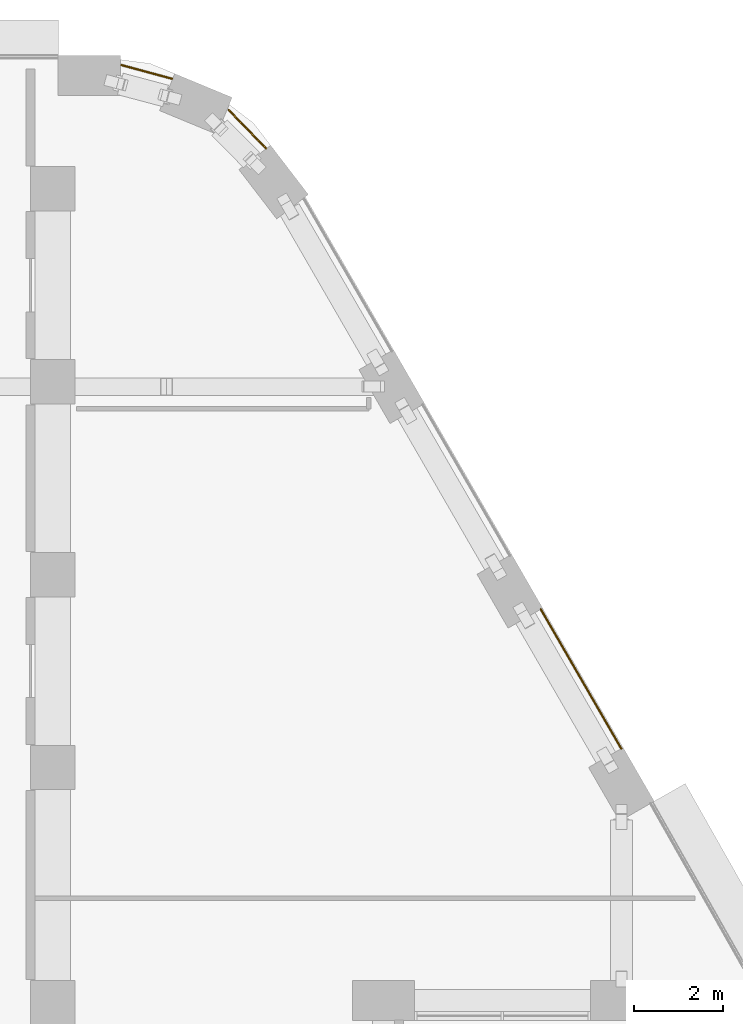
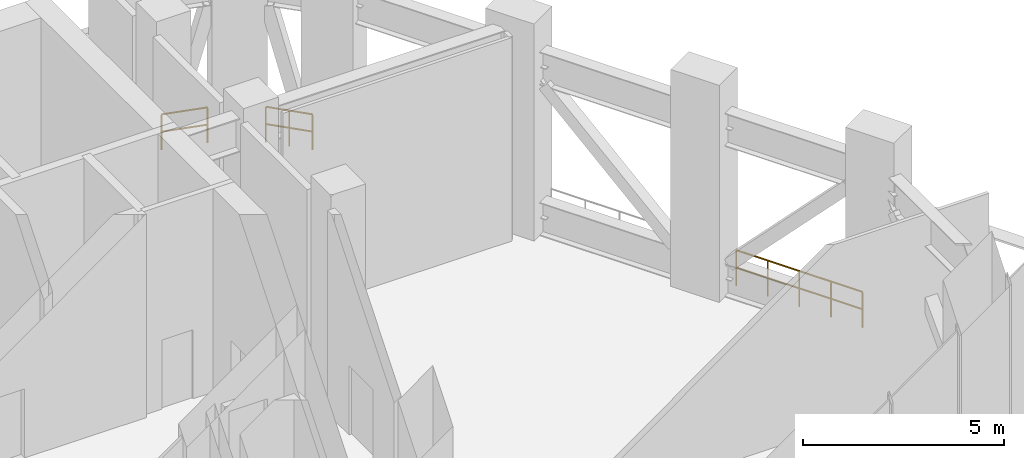
# One storey, part 20 of 21: 3 railings.
"""IFC4 building model written with IfcOpenShell, lengths in metres."""

import ifcopenshell
import ifcopenshell.guid

model = None  # the IFC model being written
_history = None  # IfcOwnerHistory: only IFC2X3 demands one
_inside = {}  # id of a spatial element -> (the spatial element, [elements in it])
_under = {}  # id of a project, library or spatial element -> (it, [spatial elements below it])
_declared = {}  # id of a project -> (the project, [libraries it declares])
_typed = {}  # id of a type object -> (the type object, [elements of that type])
_made_of = {}  # id of a material, layer set ... -> (it, [elements and type objects made of it])


def new_model(schema):
    """Start an empty IFC model of exactly this schema.

    Asked for "IFC4X3", IfcOpenShell would pick the latest addendum, in which some entities
    have other attributes; the version numbers below select the first issue.
    IFC2X3 requires an IfcOwnerHistory on every rooted entity: one is made here for all.
    """
    global model, _history
    if schema == "IFC4X3":
        model = ifcopenshell.file(schema_version=(4, 3, 0, 0))
    else:
        model = ifcopenshell.file(schema=schema)
    _inside.clear()
    _under.clear()
    _declared.clear()
    _typed.clear()
    _made_of.clear()
    _history = None
    if model.schema == "IFC2X3":
        org = make("IfcOrganization", Name="unknown")
        user = make(
            "IfcPersonAndOrganization",
            ThePerson=make("IfcPerson", FamilyName="unknown"),
            TheOrganization=org,
        )
        app = make(
            "IfcApplication",
            ApplicationDeveloper=org,
            Version="unknown",
            ApplicationFullName="unknown",
            ApplicationIdentifier="unknown",
        )
        _history = make(
            "IfcOwnerHistory",
            OwningUser=user,
            OwningApplication=app,
            ChangeAction="ADDED",
            CreationDate=0,
        )
    return model


def make(cls, **values):
    """One entity of the class cls with the attributes given. An attribute that is None is left unset."""
    return model.create_entity(
        cls, **{name: value for name, value in values.items() if value is not None}
    )


def rooted(cls, **values):
    """An entity with a GlobalId (a new one), such as an element, a storey or a relation."""
    return make(cls, GlobalId=ifcopenshell.guid.new(), OwnerHistory=_history, **values)


def si_unit(unit_type, name, prefix=None):
    """IfcSIUnit, for example si_unit("LENGTHUNIT", "METRE", prefix="MILLI")."""
    return make("IfcSIUnit", UnitType=unit_type, Prefix=prefix, Name=name)


def assignment(units):
    """IfcUnitAssignment: the units of a project."""
    return None if units is None else make("IfcUnitAssignment", Units=units)


def point(xyz):
    """IfcCartesianPoint."""
    return None if xyz is None else make("IfcCartesianPoint", Coordinates=xyz)


def direction(xyz):
    """IfcDirection."""
    return None if xyz is None else make("IfcDirection", DirectionRatios=xyz)


def frame(location, z_axis=None, x_axis=None):
    """IfcAxis2Placement3D, a coordinate frame: its origin and axes. An axis left out is left unset."""
    return make(
        "IfcAxis2Placement3D",
        Location=point(location),
        Axis=direction(z_axis),
        RefDirection=direction(x_axis),
    )


def frame_2d(location, x_axis=None):
    """IfcAxis2Placement2D, a coordinate frame in the plane: its origin and x axis."""
    return make(
        "IfcAxis2Placement2D", Location=point(location), RefDirection=direction(x_axis)
    )


def origin():
    """The frame at (0, 0, 0) with its axes left unset."""
    return frame((0.0, 0.0, 0.0))


def origin_2d():
    """The frame at (0, 0) in the plane with its x axis left unset."""
    return frame_2d((0.0, 0.0))


def place(relative_to, where):
    """IfcLocalPlacement: puts the frame where relative to a parent placement (None: the world)."""
    return make(
        "IfcLocalPlacement", PlacementRelTo=relative_to, RelativePlacement=where
    )


def context(
    kind, dimensions, precision=None, world=None, true_north=None, identifier=None
):
    """IfcGeometricRepresentationContext, for example the 3D "Model" context."""
    return make(
        "IfcGeometricRepresentationContext",
        ContextIdentifier=identifier,
        ContextType=kind,
        CoordinateSpaceDimension=dimensions,
        Precision=precision,
        WorldCoordinateSystem=world,
        TrueNorth=true_north,
    )


def subcontext(parent, identifier, kind, view, scale=None):
    """IfcGeometricRepresentationSubContext, for example "Body" below "Model"."""
    return make(
        "IfcGeometricRepresentationSubContext",
        ContextIdentifier=identifier,
        ContextType=kind,
        ParentContext=parent,
        TargetScale=scale,
        TargetView=view,
    )


def project(units=None, contexts=None):
    """IfcProject with its units and contexts."""
    return rooted(
        "IfcProject",
        Name="project",
        RepresentationContexts=contexts,
        UnitsInContext=assignment(units),
    )


def spatial(cls, under=None, at=None, **own):
    """A site, building, storey or space (cls), placed at a placement, below another one or the project."""
    s = rooted(cls, ObjectPlacement=at, **own)
    if under is not None:
        _under.setdefault(under.id(), (under, []))[1].append(s)
    return s


def profile(cls, at=None, kind="AREA", **sizes):
    """A parametric profile (cls). Its sizes go by their IFC names, for example OverallWidth=200.0."""
    return make(cls, ProfileType=kind, Position=at, **sizes)


def circle(**sizes):
    """IfcCircleProfileDef."""
    return profile("IfcCircleProfileDef", **sizes)


def extrude(swept, where, along, depth):
    """IfcExtrudedAreaSolid: the profile swept, set in the frame where, extruded along a direction by depth."""
    return make(
        "IfcExtrudedAreaSolid",
        SweptArea=swept,
        Position=where,
        ExtrudedDirection=direction(along),
        Depth=depth,
    )


def shape(context_of_items, identifier, shape_type, items):
    """IfcShapeRepresentation: the items that make up one representation, for example the "Body"."""
    return make(
        "IfcShapeRepresentation",
        ContextOfItems=context_of_items,
        RepresentationIdentifier=identifier,
        RepresentationType=shape_type,
        Items=items,
    )


def material(Name=None, Category=None):
    """IfcMaterial."""
    return make("IfcMaterial", Name=Name, Category=Category)


def made_of(thing, what):
    """Note that an element or type object is made of a material, layer set ...; save() writes the relation."""
    if what is not None:
        _made_of.setdefault(what.id(), (what, []))[1].append(thing)
    return thing


def type_object(cls, material=None, **own):
    """A type object (cls), such as IfcWallType, which elements share."""
    return made_of(rooted(cls, **own), material)


def element(
    cls,
    number,
    at=None,
    inside=None,
    cuts=None,
    type_object=None,
    material=None,
    context=None,
    identifier="Body",
    shape_type=None,
    held_by="IfcProductDefinitionShape",
    body=None,
    shapes=None,
    **own,
):
    """One element of the class cls, such as IfcWall. Its Tag is "e" and its number.

    at: its placement. inside: the storey or other place that contains it. cuts: it is an
    opening in that element (IfcRelVoidsElement). A single representation is given by context,
    identifier, shape_type and body (its items); several are given by shapes. held_by: the class
    of the entity that holds the representations. save() writes the other relations.
    """
    e = rooted(cls, Tag="e%d" % number, ObjectPlacement=at, **own)
    if body is not None:
        shapes = [shape(context, identifier, shape_type, body)]
    if shapes is not None:
        e.Representation = make(held_by, Representations=shapes)
    if inside is not None:
        _inside.setdefault(inside.id(), (inside, []))[1].append(e)
    if cuts is not None:
        rooted(
            "IfcRelVoidsElement", RelatingBuildingElement=cuts, RelatedOpeningElement=e
        )
    if type_object is not None:
        _typed.setdefault(type_object.id(), (type_object, []))[1].append(e)
    return made_of(e, material)


def aggregate(whole, parts):
    """IfcRelAggregates: a whole, such as a stair, and the parts it consists of."""
    return rooted("IfcRelAggregates", RelatingObject=whole, RelatedObjects=parts)


def save(model, path):
    """Write the relations noted so far, then the file.

    IfcRelAggregates (storeys below a building ...), IfcRelContainedInSpatialStructure (elements
    in a storey), IfcRelDefinesByType, IfcRelAssociatesMaterial and IfcRelDeclares: one each for
    every whole, place, type object, material and project.
    """
    for whole, parts in _under.values():
        aggregate(whole, parts)
    for where, things in _inside.values():
        rooted(
            "IfcRelContainedInSpatialStructure",
            RelatedElements=things,
            RelatingStructure=where,
        )
    for kind, things in _typed.values():
        rooted("IfcRelDefinesByType", RelatedObjects=things, RelatingType=kind)
    for what, things in _made_of.values():
        rooted("IfcRelAssociatesMaterial", RelatedObjects=things, RelatingMaterial=what)
    for by, libraries in _declared.values():
        rooted("IfcRelDeclares", RelatingContext=by, RelatedDefinitions=libraries)
    model.write(path)


model = new_model("IFC4")

# Units and contexts
model_context = context("Model", 3, precision=1e-05, world=origin(), true_north=direction((0.0, 1.0)))
body_context = subcontext(model_context, "Body", "Model", "MODEL_VIEW")
ifc_project = project(units=[si_unit("LENGTHUNIT", "METRE"), si_unit("AREAUNIT", "SQUARE_METRE"), si_unit("VOLUMEUNIT", "CUBIC_METRE"), si_unit("PLANEANGLEUNIT", "RADIAN"), si_unit("MASSUNIT", "GRAM", prefix="KILO")], contexts=[model_context])

# Site, building, storey
site_placement = place(None, origin())
site = spatial("IfcSite", under=ifc_project, at=site_placement, CompositionType="ELEMENT")
building_placement = place(site_placement, origin())
building = spatial("IfcBuilding", under=site, at=building_placement, Name="Nakaniwa Court", CompositionType="ELEMENT")
storey_placement = place(building_placement, frame((0.0, 0.0, 120.60009765625)))
storey = spatial("IfcBuildingStorey", under=building, at=storey_placement, Name="S2", CompositionType="ELEMENT", Elevation=120.60009765625)

# Railings
ifc_material = material(Name="Black powder-coated steel flat bar balustrade S275", Category="steel")
railing_type = type_object("IfcRailingType", Name="Black metal terrace guard 1100", PredefinedType="GUARDRAIL", material=ifc_material)
railing_1_placement = place(storey_placement, frame((102.8212890625, 88.372314453125, 0.0)))
element("IfcRailing", 1, at=railing_1_placement, inside=storey, type_object=railing_type, Name="S2 refuge band guard 03", PredefinedType="GUARDRAIL", context=body_context, shape_type="SweptSolid", body=[
    extrude(circle(Radius=0.02392578125, at=origin_2d()), frame((0.0, 0.0, 1.076171875), z_axis=(-0.499980071345, 0.866036909293, 0.0), x_axis=(-0.866036909293, -0.499980071345, 0.0)), (0.0, 0.0, 1.0), 3.636962890625),
    extrude(circle(Radius=0.02392578125, at=origin_2d()), frame((0.0, 0.0, 0.550048828125), z_axis=(-0.499980071345, 0.866036909293, 0.0), x_axis=(-0.866036909293, -0.499980071345, 0.0)), (0.0, 0.0, 1.0), 3.636962890625),
    extrude(circle(Radius=0.02099609375, at=origin_2d()), origin(), (0.0, 0.0, 1.0), 1.052001953125),
    extrude(circle(Radius=0.02099609375, at=origin_2d()), frame((-0.45458984375, 0.787353515625, 0.0)), (0.0, 0.0, 1.0), 1.052001953125),
    extrude(circle(Radius=0.02099609375, at=origin_2d()), frame((-0.9091796875, 1.57470703125, 0.0)), (0.0, 0.0, 1.0), 1.052001953125),
    extrude(circle(Radius=0.02099609375, at=origin_2d()), frame((-1.36376953125, 2.3623046875, 0.0)), (0.0, 0.0, 1.0), 1.052001953125),
    extrude(circle(Radius=0.02099609375, at=origin_2d()), frame((-1.818359375, 3.149658203125, 0.0)), (0.0, 0.0, 1.0), 1.052001953125),
])
railing_2_placement = place(storey_placement, frame((94.809814453125, 101.908935546875, 0.0)))
element("IfcRailing", 2, at=railing_2_placement, inside=storey, type_object=railing_type, Name="S2 refuge band guard 06", PredefinedType="GUARDRAIL", context=body_context, shape_type="SweptSolid", body=[
    extrude(circle(Radius=0.02392578125, at=origin_2d()), frame((0.0, 0.0, 1.076171875), z_axis=(-0.697133232314, 0.716941599019, 0.0), x_axis=(-0.716941599019, -0.697133232314, 0.0)), (0.0, 0.0, 1.0), 1.207763671875),
    extrude(circle(Radius=0.02392578125, at=origin_2d()), frame((0.0, 0.0, 0.550048828125), z_axis=(-0.697133232314, 0.716941599019, 0.0), x_axis=(-0.716941599019, -0.697133232314, 0.0)), (0.0, 0.0, 1.0), 1.207763671875),
    extrude(circle(Radius=0.02099609375, at=origin_2d()), origin(), (0.0, 0.0, 1.0), 1.052001953125),
    extrude(circle(Radius=0.02099609375, at=origin_2d()), frame((-0.4208984375, 0.43310546875, 0.0)), (0.0, 0.0, 1.0), 1.052001953125),
    extrude(circle(Radius=0.02099609375, at=origin_2d()), frame((-0.842041015625, 0.865966796875, 0.0)), (0.0, 0.0, 1.0), 1.052001953125),
])
railing_3_placement = place(storey_placement, frame((92.6953125, 103.478271484375, 0.0)))
element("IfcRailing", 3, at=railing_3_placement, inside=storey, type_object=railing_type, Name="S2 refuge band guard 07", PredefinedType="GUARDRAIL", context=body_context, shape_type="SweptSolid", body=[
    extrude(circle(Radius=0.02392578125, at=origin_2d()), frame((0.0, 0.0, 1.076171875), z_axis=(-0.96522637192, 0.261415475728, 0.0), x_axis=(-0.261415475728, -0.96522637192, 0.0)), (0.0, 0.0, 1.0), 1.189697265625),
    extrude(circle(Radius=0.02392578125, at=origin_2d()), frame((0.0, 0.0, 0.550048828125), z_axis=(-0.96522637192, 0.261415475728, 0.0), x_axis=(-0.261415475728, -0.96522637192, 0.0)), (0.0, 0.0, 1.0), 1.189697265625),
    extrude(circle(Radius=0.02099609375, at=origin_2d()), origin(), (0.0, 0.0, 1.0), 1.052001953125),
    extrude(circle(Radius=0.02099609375, at=origin_2d()), frame((-1.1484375, 0.31103515625, 0.0)), (0.0, 0.0, 1.0), 1.052001953125),
])

save(model, "model.ifc")
